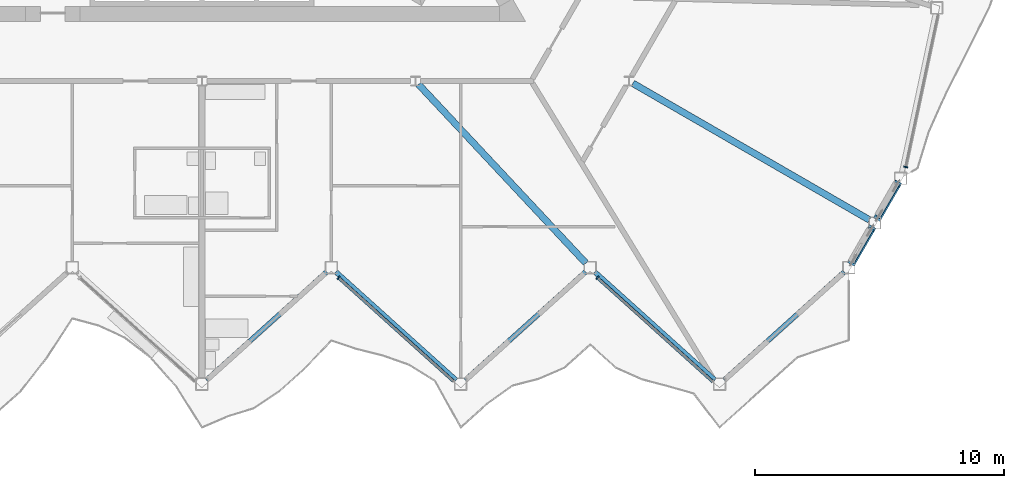
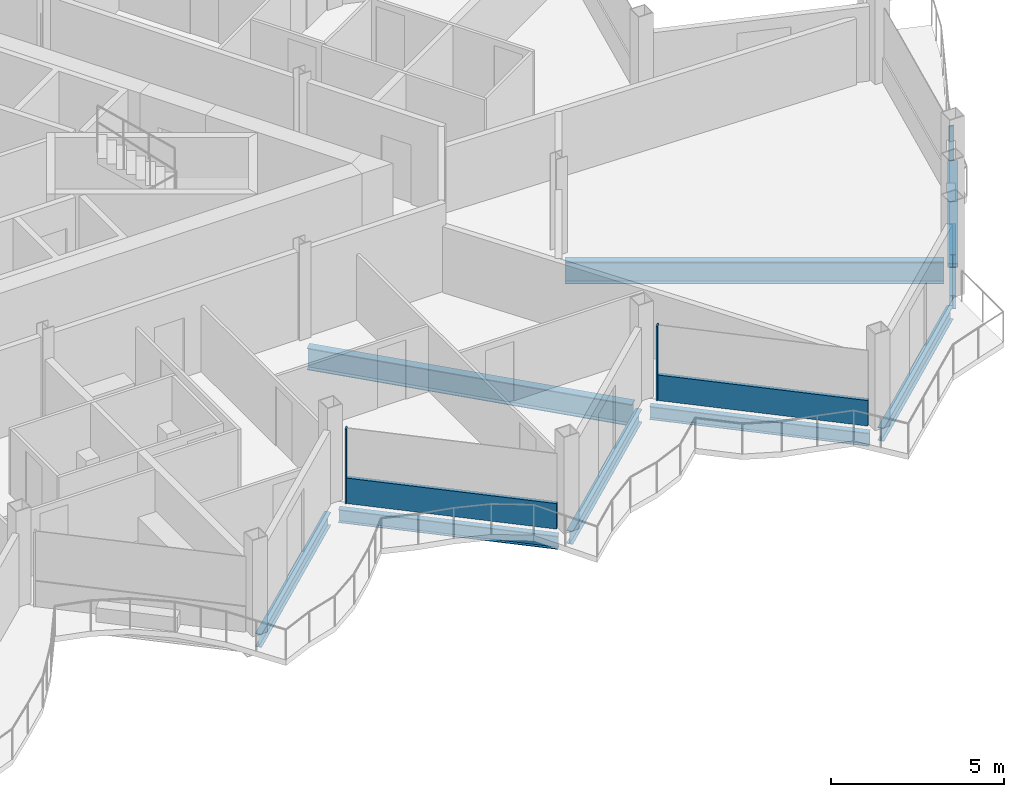
# One storey, part 7 of 26: 9 beams, 7 members, 3 elements without a shape of their own.
"""IFC4 building model written with IfcOpenShell, lengths in metres."""

from ifc_helpers import new_model, si_unit, direction, frame, origin, origin_2d, place, context, subcontext, project, spatial, rectangle, hollow_rectangle, i_section, extrude, material, layer, layer_set, material_profile, profile_set, type_object, element, aggregate, save


model = new_model("IFC4")

# Units and contexts
model_context = context("Model", 3, precision=1e-05, world=origin(), true_north=direction((0.0, 1.0)))
body_context = subcontext(model_context, "Body", "Model", "MODEL_VIEW")
ifc_project = project(units=[si_unit("LENGTHUNIT", "METRE"), si_unit("AREAUNIT", "SQUARE_METRE"), si_unit("VOLUMEUNIT", "CUBIC_METRE"), si_unit("PLANEANGLEUNIT", "RADIAN"), si_unit("MASSUNIT", "GRAM", prefix="KILO")], contexts=[model_context])

# Site, building, storey
site_placement = place(None, origin())
site = spatial("IfcSite", under=ifc_project, at=site_placement, CompositionType="ELEMENT")
building_placement = place(site_placement, origin())
building = spatial("IfcBuilding", under=site, at=building_placement, Name="Cormorant Prow Tower", CompositionType="ELEMENT")
storey_placement = place(building_placement, frame((0.0, 0.0, 401.800048828125)))
storey = spatial("IfcBuildingStorey", under=building, at=storey_placement, Name="L92", CompositionType="ELEMENT", Elevation=401.800048828125)

# Members
ifc_material_1 = material(Name="Structural steel ASTM A500 Gr C", Category="steel")
ifc_material_profile_1 = material_profile(ifc_material_1, hollow_rectangle(XDim=0.3046875, YDim=0.3046875, WallThickness=0.01171875, at=origin_2d()), Name="HSS12x12x1/2")
ifc_profile_set_1 = profile_set([ifc_material_profile_1], Name="Structural steel ASTM A500 Gr C")
member_type_1 = type_object("IfcMemberType", Name="Chamfer brace HSS12x12x1/2", PredefinedType="BRACE", material=ifc_profile_set_1)
member_1_placement = place(storey_placement, frame((26.123291015625, -17.192138671875, 0.7705078125), z_axis=(0.411298537745, 0.71230756954, 0.568727913175), x_axis=(-0.866000359435, 0.500043375578, 0.0)))
element("IfcMember", 1, at=member_1_placement, inside=storey, type_object=member_type_1, Name="Chamfer brace BR3 at ESE00 L92", PredefinedType="BRACE", context=body_context, shape_type="SweptSolid", body=[
    extrude(hollow_rectangle(XDim=0.3046875, YDim=0.3046875, WallThickness=0.01171875, at=origin_2d()), origin(), (0.0, 0.0, 1.0), 1.92138671875),
])
member_2_placement = place(storey_placement, frame((27.160400390625, -15.39599609375, 0.7705078125), z_axis=(0.411230183851, 0.712282194217, 0.568809117095), x_axis=(-0.866028632512, 0.499994407638, 0.0)))
element("IfcMember", 2, at=member_2_placement, inside=storey, type_object=member_type_1, Name="Chamfer brace BR3 at ESE01 L92", PredefinedType="BRACE", context=body_context, shape_type="SweptSolid", body=[
    extrude(hollow_rectangle(XDim=0.3046875, YDim=0.3046875, WallThickness=0.01171875, at=origin_2d()), origin(), (0.0, 0.0, 1.0), 1.921142578125),
])

# Beams
ifc_material_2 = material(Name="Structural steel ASTM A992 Gr 50", Category="steel")
ifc_material_profile_2 = material_profile(ifc_material_2, i_section(OverallWidth=0.267822265625, OverallDepth=0.77001953125, WebThickness=0.015625, FlangeThickness=0.025390625, at=origin_2d()), Name="W30x132")
ifc_profile_set_2 = profile_set([ifc_material_profile_2], Name="Structural steel ASTM A992 Gr 50")
beam_type_1 = type_object("IfcBeamType", Name="Radial floor beam W30x132", PredefinedType="BEAM", material=ifc_profile_set_2)
beam_1_placement = place(storey_placement, frame((8.706298828125, -10.0419921875, -0.68505859375), z_axis=(0.683430760659, -0.730015339144, 0.0), x_axis=(0.730015339144, 0.683430760659, 0.0)))
element("IfcBeam", 3, at=beam_1_placement, inside=storey, type_object=beam_type_1, Name="Radial floor beam FB3 8 L92", PredefinedType="BEAM", context=body_context, shape_type="SweptSolid", body=[
    extrude(i_section(OverallWidth=0.267822265625, OverallDepth=0.77001953125, WebThickness=0.015625, FlangeThickness=0.025390625, at=origin_2d()), origin(), (0.0, 0.0, 1.0), 9.8369140625),
])
beam_2_placement = place(storey_placement, frame((17.31884765625, -9.9990234375, -0.68505859375), z_axis=(0.866018830095, -0.500011385791, 0.0), x_axis=(0.500011385791, 0.866018830095, 0.0)))
element("IfcBeam", 4, at=beam_2_placement, inside=storey, type_object=beam_type_1, Name="Radial floor beam FB3 9 L92", PredefinedType="BEAM", context=body_context, shape_type="SweptSolid", body=[
    extrude(i_section(OverallWidth=0.267822265625, OverallDepth=0.77001953125, WebThickness=0.015625, FlangeThickness=0.025390625, at=origin_2d()), origin(), (0.0, 0.0, 1.0), 10.971435546875),
])

# Curtain wall, member
ifc_material_3 = material(Name="Aluminium 6063-T6", Category="aluminium")
ifc_layer = layer(ifc_material_3, 0.159912109375)
ifc_layer_set = layer_set([ifc_layer], Name="Aluminium 6063-T6")
curtain_wall_type = type_object("IfcCurtainWallType", Name="Residential unitised curtain wall 160", PredefinedType="NOTDEFINED", material=ifc_layer_set)
curtain_wall_1_placement = place(storey_placement, origin())
curtain_wall_1 = element("IfcCurtainWall", 5, at=curtain_wall_1_placement, inside=storey, type_object=curtain_wall_type, Name="Residential curtain wall S06", PredefinedType="NOTDEFINED")
ifc_material_4 = material(Name="Aluminium 6063-T6", Category="aluminium")
ifc_material_profile_3 = material_profile(ifc_material_4, rectangle(XDim=0.159912109375, YDim=0.050048828125, at=origin_2d()), Name="Residential mullion 50x160")
ifc_profile_set_3 = profile_set([ifc_material_profile_3], Name="Aluminium 6063-T6")
member_type_2 = type_object("IfcMemberType", Name="Residential mullion 50x160", PredefinedType="MULLION", material=ifc_profile_set_3)
member_3_placement = place(storey_placement, frame((5.490478515625, -17.810546875, 0.0), z_axis=(0.0, 0.0, 1.0), x_axis=(0.669130603959, 0.743144827638, 0.0)))
member_3 = element("IfcMember", 6, at=member_3_placement, type_object=member_type_2, Name="Residential mullion S06", PredefinedType="MULLION", context=body_context, shape_type="SweptSolid", body=[
    extrude(rectangle(XDim=0.159912109375, YDim=0.050048828125, at=origin_2d()), origin(), (0.0, 0.0, 1.0), 2.6337890625),
])

curtain_wall_2_placement = place(storey_placement, origin())
curtain_wall_2 = element("IfcCurtainWall", 7, at=curtain_wall_2_placement, inside=storey, type_object=curtain_wall_type, Name="Residential curtain wall S08", PredefinedType="NOTDEFINED")
member_4_placement = place(storey_placement, frame((15.890625, -17.810546875, 0.0), z_axis=(0.0, 0.0, 1.0), x_axis=(0.669130603959, 0.743144827638, 0.0)))
member_4 = element("IfcMember", 8, at=member_4_placement, type_object=member_type_2, Name="Residential mullion S08", PredefinedType="MULLION", context=body_context, shape_type="SweptSolid", body=[
    extrude(rectangle(XDim=0.159912109375, YDim=0.050048828125, at=origin_2d()), origin(), (0.0, 0.0, 1.0), 2.6337890625),
])

curtain_wall_3_placement = place(storey_placement, origin())
curtain_wall_3 = element("IfcCurtainWall", 9, at=curtain_wall_3_placement, inside=storey, type_object=curtain_wall_type, Name="Residential curtain wall ENE00", PredefinedType="NOTDEFINED")
member_5_placement = place(storey_placement, frame((28.279052734375, -13.35986328125, 0.0), z_axis=(0.0, 0.0, 1.0), x_axis=(-0.978147615768, 0.207911620089, 0.0)))
member_5 = element("IfcMember", 10, at=member_5_placement, type_object=member_type_2, Name="Residential mullion ENE00", PredefinedType="MULLION", context=body_context, shape_type="SweptSolid", body=[
    extrude(rectangle(XDim=0.159912109375, YDim=0.050048828125, at=origin_2d()), origin(), (0.0, 0.0, 1.0), 2.6337890625),
])
aggregate(curtain_wall_3, [member_5])

# Member
ifc_material_5 = material(Name="Terracotta", Category="masonry")
ifc_material_profile_4 = material_profile(ifc_material_5, rectangle(XDim=0.1201171875, YDim=0.89990234375, at=origin_2d()), Name="Residential terracotta spandrel rail 120x900")
ifc_profile_set_4 = profile_set([ifc_material_profile_4], Name="Terracotta")
member_type_3 = type_object("IfcMemberType", Name="Residential terracotta spandrel rail 120x900", PredefinedType="USERDEFINED", material=ifc_profile_set_4)
member_6_placement = place(storey_placement, frame((5.509033203125, -17.8271484375, 0.449951171875), z_axis=(0.743139827378, -0.669136157269, 0.0), x_axis=(0.669136157269, 0.743139827378, 0.0)))
member_6 = element("IfcMember", 11, at=member_6_placement, type_object=member_type_3, Name="Residential spandrel rail S06", ObjectType="TRANSOM", PredefinedType="USERDEFINED", context=body_context, shape_type="SweptSolid", body=[
    extrude(rectangle(XDim=0.1201171875, YDim=0.89990234375, at=origin_2d()), origin(), (0.0, 0.0, 1.0), 6.21533203125),
])

aggregate(curtain_wall_1, [member_3, member_6])

member_7_placement = place(storey_placement, frame((15.9091796875, -17.8271484375, 0.449951171875), z_axis=(0.743139827378, -0.669136157269, 0.0), x_axis=(0.669136157269, 0.743139827378, 0.0)))
member_7 = element("IfcMember", 12, at=member_7_placement, type_object=member_type_3, Name="Residential spandrel rail S08", ObjectType="TRANSOM", PredefinedType="USERDEFINED", context=body_context, shape_type="SweptSolid", body=[
    extrude(rectangle(XDim=0.1201171875, YDim=0.89990234375, at=origin_2d()), origin(), (0.0, 0.0, 1.0), 6.21533203125),
])

aggregate(curtain_wall_2, [member_4, member_7])

# Beams
ifc_material_6 = material(Name="Structural steel ASTM A992 Gr 50", Category="steel")
ifc_material_profile_5 = material_profile(ifc_material_6, i_section(OverallWidth=0.19287109375, OverallDepth=0.466064453125, WebThickness=0.011474609375, FlangeThickness=0.01904296875, at=origin_2d()), Name="W18x65")
ifc_profile_set_5 = profile_set([ifc_material_profile_5], Name="Structural steel ASTM A992 Gr 50")
beam_type_2 = type_object("IfcBeamType", Name="Spandrel beam W18x65", PredefinedType="SPANDREL", material=ifc_profile_set_5)
for number, where, z_axis, x_axis, name in (
    (13, (0.185791015625, -21.920654296875, -0.533203125), (0.743131573737, 0.669145323614, 0.0), (-0.669145323614, 0.743131573737, 0.0), "Spandrel beam SB4 S05-S06 L92"),
    (14, (5.3857421875, -17.572998046875, -0.533203125), (0.743131573737, -0.669145323614, 0.0), (0.669145323614, 0.743131573737, 0.0), "Spandrel beam SB4 S06-S07 L92"),
):
    element("IfcBeam", number, at=place(storey_placement, frame(where, z_axis=z_axis, x_axis=x_axis)), inside=storey, type_object=beam_type_2, Name=name, PredefinedType="SPANDREL", context=body_context, shape_type="SweptSolid", body=[
        extrude(i_section(OverallWidth=0.19287109375, OverallDepth=0.466064453125, WebThickness=0.011474609375, FlangeThickness=0.01904296875, at=origin_2d()), origin(), (0.0, 0.0, 1.0), 6.497314453125),
    ])
beam_3_placement = place(storey_placement, frame((10.585693359375, -21.920654296875, -0.533203125), z_axis=(0.743148397689, 0.669126638995, 0.0), x_axis=(-0.669126638995, 0.743148397689, 0.0)))
element("IfcBeam", 15, at=beam_3_placement, inside=storey, type_object=beam_type_2, Name="Spandrel beam SB4 S07-S08 L92", PredefinedType="SPANDREL", context=body_context, shape_type="SweptSolid", body=[
    extrude(i_section(OverallWidth=0.19287109375, OverallDepth=0.466064453125, WebThickness=0.011474609375, FlangeThickness=0.01904296875, at=origin_2d()), origin(), (0.0, 0.0, 1.0), 6.49755859375),
])
for number, where, z_axis, x_axis, name in (
    (16, (15.785888671875, -17.572998046875, -0.533203125), (0.743131573737, -0.669145323614, 0.0), (0.669145323614, 0.743131573737, 0.0), "Spandrel beam SB4 S08-S09 L92"),
    (17, (20.98583984375, -21.920654296875, -0.533203125), (0.743131573737, 0.669145323614, 0.0), (-0.669145323614, 0.743131573737, 0.0), "Spandrel beam SB4 S09-ESE00 L92"),
):
    element("IfcBeam", number, at=place(storey_placement, frame(where, z_axis=z_axis, x_axis=x_axis)), inside=storey, type_object=beam_type_2, Name=name, PredefinedType="SPANDREL", context=body_context, shape_type="SweptSolid", body=[
        extrude(i_section(OverallWidth=0.19287109375, OverallDepth=0.466064453125, WebThickness=0.011474609375, FlangeThickness=0.01904296875, at=origin_2d()), origin(), (0.0, 0.0, 1.0), 6.497314453125),
    ])
for number, where, z_axis, x_axis, name in (
    (18, (26.125, -17.189208984375, -0.533203125), (0.499959680857, 0.866048680801, 0.0), (-0.866048680801, 0.499959680857, 0.0), "Spandrel beam SB4 ESE00-ESE01 L92"),
    (19, (27.161865234375, -15.393310546875, -0.533203125), (0.499959680857, 0.866048680801, 0.0), (-0.866048680801, 0.499959680857, 0.0), "Spandrel beam SB4 ESE01-ENE00 L92"),
):
    element("IfcBeam", number, at=place(storey_placement, frame(where, z_axis=z_axis, x_axis=x_axis)), inside=storey, type_object=beam_type_2, Name=name, PredefinedType="SPANDREL", context=body_context, shape_type="SweptSolid", body=[
        extrude(i_section(OverallWidth=0.19287109375, OverallDepth=0.466064453125, WebThickness=0.011474609375, FlangeThickness=0.01904296875, at=origin_2d()), origin(), (0.0, 0.0, 1.0), 1.573974609375),
    ])

save(model, "model.ifc")
